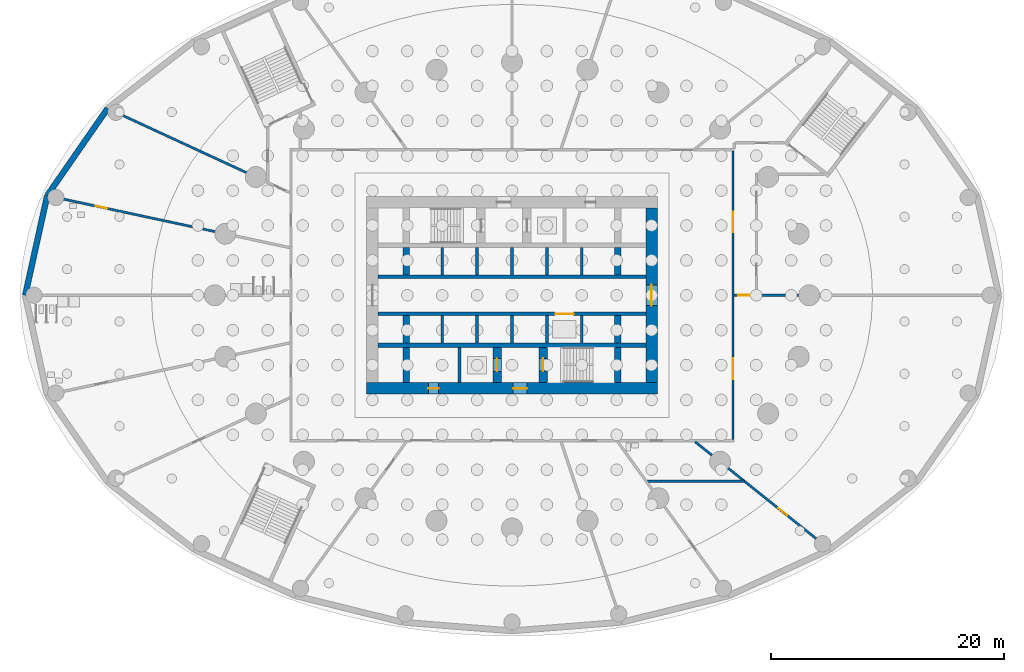
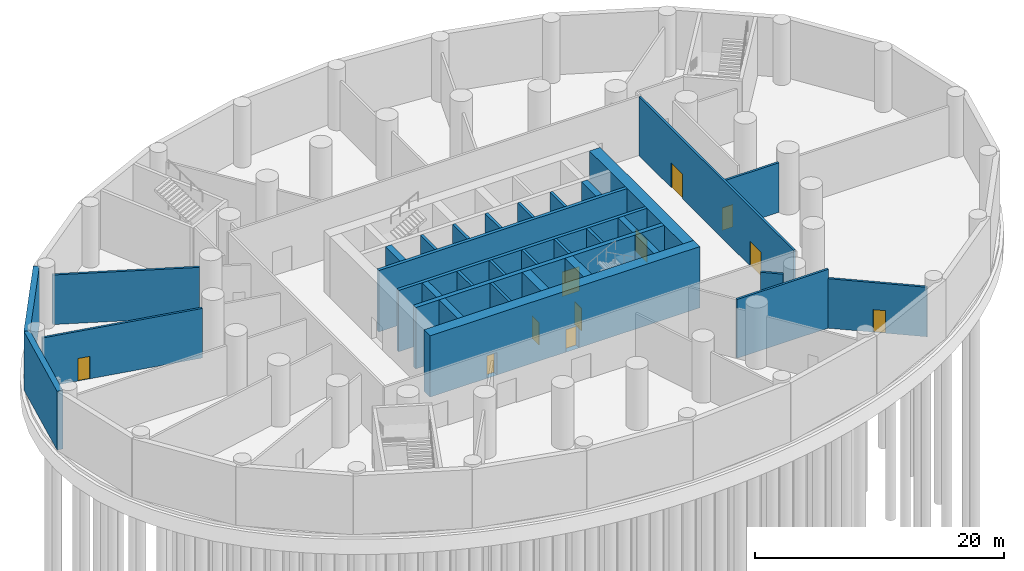
# One storey, part 5 of 12: 33 walls, 11 doors, 11 openings.
"""IFC4 building model written with IfcOpenShell, lengths in metres."""

from ifc_helpers import new_model, si_unit, direction, frame, frame_2d, origin, place, context, subcontext, project, spatial, rectangle, extrude, material, layer, layer_set, type_object, element, fill, save


model = new_model("IFC4")

# Units and contexts
model_context = context("Model", 3, precision=1e-05, world=origin(), true_north=direction((0.0, 1.0)))
body_context = subcontext(model_context, "Body", "Model", "MODEL_VIEW")
ifc_project = project(units=[si_unit("LENGTHUNIT", "METRE"), si_unit("AREAUNIT", "SQUARE_METRE"), si_unit("VOLUMEUNIT", "CUBIC_METRE"), si_unit("PLANEANGLEUNIT", "RADIAN"), si_unit("MASSUNIT", "GRAM", prefix="KILO")], contexts=[model_context])

# Site, building, storey
site_placement = place(None, origin())
site = spatial("IfcSite", under=ifc_project, at=site_placement, CompositionType="ELEMENT")
building_placement = place(site_placement, origin())
building = spatial("IfcBuilding", under=site, at=building_placement, Name="Hankou Lantern Tower", CompositionType="ELEMENT")
storey_placement = place(building_placement, frame((0.0, 0.0, -6.0)))
storey = spatial("IfcBuildingStorey", under=building, at=storey_placement, Name="B1", CompositionType="ELEMENT", Elevation=-6.0)

# Wall, openings, doors
ifc_material_1 = material(Name="Concrete C60", Category="concrete")
ifc_layer_1 = layer(ifc_material_1, 1.0)
ifc_layer_set_1 = layer_set([ifc_layer_1], Name="Concrete C60")
wall_type_1 = type_object("IfcWallType", Name="CW1 CORE WALL 1000", PredefinedType="SHEAR", material=ifc_layer_set_1)
wall_1_placement = place(storey_placement, frame((12.5, -8.0, 0.0), z_axis=(0.0, 0.0, 1.0), x_axis=(-1.0, 0.0, 0.0)))
wall_1 = element("IfcWall", 1, at=wall_1_placement, inside=storey, type_object=wall_type_1, Name="Core wall south B1", PredefinedType="SHEAR", context=body_context, shape_type="SweptSolid", body=[
    extrude(rectangle(XDim=25.0, YDim=1.0, at=frame_2d((12.5, 0.0))), origin(), (0.0, 0.0, 1.0), 6.0),
])
opening_1_placement = place(wall_1_placement, frame((11.199951171875, 0.0, 0.0)))
opening_1 = element("IfcOpeningElement", 2, at=opening_1_placement, cuts=wall_1, Name="Opening D5", PredefinedType="OPENING", context=body_context, shape_type="SweptSolid", body=[
    extrude(rectangle(XDim=1.199951171875, YDim=2.199951171875, at=frame_2d((0.60009765625, 1.10009765625))), frame((0.0, 0.510009765625, 0.0), z_axis=(0.0, -1.0, 0.0), x_axis=(1.0, 0.0, 0.0)), (0.0, 0.0, 1.0), 1.02001953125),
])
opening_2_placement = place(wall_1_placement, frame((18.800048828125, 0.0, 0.0)))
opening_2 = element("IfcOpeningElement", 3, at=opening_2_placement, cuts=wall_1, Name="Opening D7", PredefinedType="OPENING", context=body_context, shape_type="SweptSolid", body=[
    extrude(rectangle(XDim=0.89990234375, YDim=2.199951171875, at=frame_2d((0.449951171875, 1.10009765625))), frame((0.0, 0.510009765625, 0.0), z_axis=(0.0, -1.0, 0.0), x_axis=(1.0, 0.0, 0.0)), (0.0, 0.0, 1.0), 1.02001953125),
])
ifc_material_2 = material(Name="Steel door leaf", Category="steel")
door_type_1 = type_object("IfcDoorType", Name="D5 STAIR LOBBY DOOR 1200X2200", OperationType="SINGLE_SWING_LEFT", PredefinedType="DOOR", material=ifc_material_2)
door_1_placement = place(opening_1_placement, origin())
door_1 = element("IfcDoor", 4, at=door_1_placement, inside=storey, type_object=door_type_1, Name="Stair B lobby door", OperationType="SINGLE_SWING_LEFT", OverallHeight=2.199951171875, OverallWidth=1.199951171875, PredefinedType="DOOR", context=body_context, shape_type="SweptSolid", body=[
    extrude(rectangle(XDim=1.199951171875, YDim=2.199951171875, at=frame_2d((0.60009765625, 1.10009765625))), frame((0.0, 0.02490234375, 0.0), z_axis=(0.0, -1.0, 0.0), x_axis=(1.0, 0.0, 0.0)), (0.0, 0.0, 1.0), 0.050048828125),
])
fill(opening_1, door_1)
ifc_material_3 = material(Name="Steel door leaf", Category="steel")
door_type_2 = type_object("IfcDoorType", Name="D7 RISER DOOR 900X2200", OperationType="SINGLE_SWING_LEFT", PredefinedType="DOOR", material=ifc_material_3)
door_2_placement = place(opening_2_placement, origin())
door_2 = element("IfcDoor", 5, at=door_2_placement, inside=storey, type_object=door_type_2, Name="Riser S1 door", OperationType="SINGLE_SWING_RIGHT", OverallHeight=2.199951171875, OverallWidth=0.89990234375, PredefinedType="DOOR", context=body_context, shape_type="SweptSolid", body=[
    extrude(rectangle(XDim=0.89990234375, YDim=2.199951171875, at=frame_2d((0.449951171875, 1.10009765625))), frame((0.0, 0.02490234375, 0.0), z_axis=(0.0, -1.0, 0.0), x_axis=(1.0, 0.0, 0.0)), (0.0, 0.0, 1.0), 0.050048828125),
])
fill(opening_2, door_2)

# Wall, opening, door
wall_2_placement = place(storey_placement, frame((12.0, -7.5, 0.0), z_axis=(0.0, 0.0, 1.0), x_axis=(0.0, 1.0, 0.0)))
wall_2 = element("IfcWall", 6, at=wall_2_placement, inside=storey, type_object=wall_type_1, Name="Core wall east B1", PredefinedType="SHEAR", context=body_context, shape_type="SweptSolid", body=[
    extrude(rectangle(XDim=15.0, YDim=1.0, at=frame_2d((7.5, 0.0))), origin(), (0.0, 0.0, 1.0), 6.0),
])
opening_3_placement = place(wall_2_placement, frame((6.60009765625, 0.0, 0.0)))
opening_3 = element("IfcOpeningElement", 7, at=opening_3_placement, cuts=wall_2, Name="Opening D6", PredefinedType="OPENING", context=body_context, shape_type="SweptSolid", body=[
    extrude(rectangle(XDim=1.800048828125, YDim=2.199951171875, at=frame_2d((0.89990234375, 1.10009765625))), frame((0.0, 0.510009765625, 0.0), z_axis=(0.0, -1.0, 0.0), x_axis=(1.0, 0.0, 0.0)), (0.0, 0.0, 1.0), 1.02001953125),
])
ifc_material_4 = material(Name="Steel door leaf", Category="steel")
door_type_3 = type_object("IfcDoorType", Name="D6 LIFT LOBBY DOOR 1800X2200", OperationType="DOUBLE_DOOR_DOUBLE_SWING", PredefinedType="DOOR", material=ifc_material_4)
door_3_placement = place(opening_3_placement, origin())
door_3 = element("IfcDoor", 8, at=door_3_placement, inside=storey, type_object=door_type_3, Name="Lift lobby east door", OperationType="DOUBLE_DOOR_DOUBLE_SWING", OverallHeight=2.199951171875, OverallWidth=1.800048828125, PredefinedType="DOOR", context=body_context, shape_type="SweptSolid", body=[
    extrude(rectangle(XDim=1.800048828125, YDim=2.199951171875, at=frame_2d((0.89990234375, 1.10009765625))), frame((0.0, 0.02490234375, 0.0), z_axis=(0.0, -1.0, 0.0), x_axis=(1.0, 0.0, 0.0)), (0.0, 0.0, 1.0), 0.050048828125),
])
fill(opening_3, door_3)

# Walls
ifc_material_5 = material(Name="Concrete C60", Category="concrete")
ifc_layer_2 = layer(ifc_material_5, 0.39990234375)
ifc_layer_set_2 = layer_set([ifc_layer_2], Name="Concrete C60")
wall_type_2 = type_object("IfcWallType", Name="CW4 CORE CROSS WALL 400", PredefinedType="SHEAR", material=ifc_layer_set_2)
wall_3_placement = place(storey_placement, frame((-11.5, -4.300048828125, 0.0), z_axis=(0.0, 0.0, 1.0), x_axis=(1.0, 0.0, 0.0)))
element("IfcWall", 9, at=wall_3_placement, inside=storey, type_object=wall_type_2, Name="Core band wall south B1", PredefinedType="SHEAR", context=body_context, shape_type="SweptSolid", body=[
    extrude(rectangle(XDim=23.0, YDim=0.39990234375, at=frame_2d((11.5, 0.0))), origin(), (0.0, 0.0, 1.0), 6.0),
])
ifc_material_6 = material(Name="Concrete C60", Category="concrete")
ifc_layer_3 = layer(ifc_material_6, 0.300048828125)
ifc_layer_set_3 = layer_set([ifc_layer_3], Name="Concrete C60")
wall_type_3 = type_object("IfcWallType", Name="CW5 LIFT LOBBY WALL 300", PredefinedType="SHEAR", material=ifc_layer_set_3)
wall_4_placement = place(storey_placement, frame((-11.5, 1.60009765625, 0.0), z_axis=(0.0, 0.0, 1.0), x_axis=(1.0, 0.0, 0.0)))
element("IfcWall", 10, at=wall_4_placement, inside=storey, type_object=wall_type_3, Name="Lift lobby wall north B1", PredefinedType="SHEAR", context=body_context, shape_type="SweptSolid", body=[
    extrude(rectangle(XDim=23.0, YDim=0.300048828125, at=frame_2d((11.5, 0.0))), origin(), (0.0, 0.0, 1.0), 6.0),
])

# Wall, opening, door
wall_5_placement = place(storey_placement, frame((-11.5, -1.60009765625, 0.0), z_axis=(0.0, 0.0, 1.0), x_axis=(1.0, 0.0, 0.0)))
wall_5 = element("IfcWall", 11, at=wall_5_placement, inside=storey, type_object=wall_type_3, Name="Lift lobby wall south B1", PredefinedType="SHEAR", context=body_context, shape_type="SweptSolid", body=[
    extrude(rectangle(XDim=23.0, YDim=0.300048828125, at=frame_2d((11.5, 0.0))), origin(), (0.0, 0.0, 1.0), 6.0),
])
opening_4_placement = place(wall_5_placement, frame((15.199951171875, 0.0, 0.0)))
opening_4 = element("IfcOpeningElement", 12, at=opening_4_placement, cuts=wall_5, Name="Opening LD4", PredefinedType="OPENING", context=body_context, shape_type="SweptSolid", body=[
    extrude(rectangle(XDim=1.60009765625, YDim=2.39990234375, at=frame_2d((0.800048828125, 1.199951171875))), frame((0.0, 0.159912109375, 0.0), z_axis=(0.0, -1.0, 0.0), x_axis=(1.0, 0.0, 0.0)), (0.0, 0.0, 1.0), 0.320068359375),
])
ifc_material_7 = material(Name="Steel door leaf", Category="steel")
door_type_4 = type_object("IfcDoorType", Name="LD4 SERVICE LIFT LANDING DOOR 1600X2400", OperationType="DOUBLE_DOOR_SLIDING", PredefinedType="DOOR", material=ifc_material_7)
door_4_placement = place(opening_4_placement, origin())
door_4 = element("IfcDoor", 13, at=door_4_placement, inside=storey, type_object=door_type_4, Name="Lift SV1 landing door", OperationType="DOUBLE_DOOR_SLIDING", OverallHeight=2.39990234375, OverallWidth=1.60009765625, PredefinedType="DOOR", context=body_context, shape_type="SweptSolid", body=[
    extrude(rectangle(XDim=1.60009765625, YDim=2.39990234375, at=frame_2d((0.800048828125, 1.199951171875))), frame((0.0, 0.02490234375, 0.0), z_axis=(0.0, -1.0, 0.0), x_axis=(1.0, 0.0, 0.0)), (0.0, 0.0, 1.0), 0.050048828125),
])
fill(opening_4, door_4)

# Walls
ifc_material_8 = material(Name="Concrete C60", Category="concrete")
ifc_layer_4 = layer(ifc_material_8, 0.550048828125)
ifc_layer_set_4 = layer_set([ifc_layer_4], Name="Concrete C60")
wall_type_4 = type_object("IfcWallType", Name="CW8 CORE CROSS WALL 550", PredefinedType="SHEAR", material=ifc_layer_set_4)
for number, where, z_axis, x_axis, name in (
    (14, (-9.074951171875, 1.75, 0.0), (0.0, 0.0, 1.0), (0.0, 1.0, 0.0), "Core strip wall B1"),
    (15, (-9.074951171875, -4.10009765625, 0.0), (0.0, 0.0, 1.0), (0.0, 1.0, 0.0), "Core strip wall B1"),
):
    element("IfcWall", number, at=place(storey_placement, frame(where, z_axis=z_axis, x_axis=x_axis)), inside=storey, type_object=wall_type_4, Name=name, PredefinedType="SHEAR", context=body_context, shape_type="SweptSolid", body=[
        extrude(rectangle(XDim=2.35009765625, YDim=0.550048828125, at=frame_2d((1.175048828125, 0.0))), origin(), (0.0, 0.0, 1.0), 6.0),
    ])
wall_6_placement = place(storey_placement, frame((-9.074951171875, -7.5, 0.0), z_axis=(0.0, 0.0, 1.0), x_axis=(0.0, 1.0, 0.0)))
element("IfcWall", 16, at=wall_6_placement, inside=storey, type_object=wall_type_4, Name="Core strip wall B1", PredefinedType="SHEAR", context=body_context, shape_type="SweptSolid", body=[
    extrude(rectangle(XDim=3.0, YDim=0.550048828125, at=frame_2d((1.5, 0.0))), origin(), (0.0, 0.0, 1.0), 6.0),
])
for number, where, z_axis, x_axis, name in (
    (17, (9.074951171875, 1.75, 0.0), (0.0, 0.0, 1.0), (0.0, 1.0, 0.0), "Core strip wall B1"),
    (18, (9.074951171875, -4.10009765625, 0.0), (0.0, 0.0, 1.0), (0.0, 1.0, 0.0), "Core strip wall B1"),
):
    element("IfcWall", number, at=place(storey_placement, frame(where, z_axis=z_axis, x_axis=x_axis)), inside=storey, type_object=wall_type_4, Name=name, PredefinedType="SHEAR", context=body_context, shape_type="SweptSolid", body=[
        extrude(rectangle(XDim=2.35009765625, YDim=0.550048828125, at=frame_2d((1.175048828125, 0.0))), origin(), (0.0, 0.0, 1.0), 6.0),
    ])
wall_7_placement = place(storey_placement, frame((9.074951171875, -7.5, 0.0), z_axis=(0.0, 0.0, 1.0), x_axis=(0.0, 1.0, 0.0)))
element("IfcWall", 19, at=wall_7_placement, inside=storey, type_object=wall_type_4, Name="Core strip wall B1", PredefinedType="SHEAR", context=body_context, shape_type="SweptSolid", body=[
    extrude(rectangle(XDim=3.0, YDim=0.550048828125, at=frame_2d((1.5, 0.0))), origin(), (0.0, 0.0, 1.0), 6.0),
])

# Wall, opening, door
ifc_material_9 = material(Name="Concrete C60", Category="concrete")
ifc_layer_5 = layer(ifc_material_9, 0.75)
ifc_layer_set_5 = layer_set([ifc_layer_5], Name="Concrete C60")
wall_type_5 = type_object("IfcWallType", Name="CW9 STAIR AND SHAFT WALL 750", PredefinedType="SHEAR", material=ifc_layer_set_5)
wall_8_placement = place(storey_placement, frame((2.675048828125, -7.5, 0.0), z_axis=(0.0, 0.0, 1.0), x_axis=(0.0, 1.0, 0.0)))
wall_8 = element("IfcWall", 20, at=wall_8_placement, inside=storey, type_object=wall_type_5, Name="Stair wall B1", PredefinedType="SHEAR", context=body_context, shape_type="SweptSolid", body=[
    extrude(rectangle(XDim=3.0, YDim=0.75, at=frame_2d((1.5, 0.0))), origin(), (0.0, 0.0, 1.0), 6.0),
])
opening_5_placement = place(wall_8_placement, frame((0.97509765625, 0.0, 0.0)))
opening_5 = element("IfcOpeningElement", 21, at=opening_5_placement, cuts=wall_8, Name="Opening D4", PredefinedType="OPENING", context=body_context, shape_type="SweptSolid", body=[
    extrude(rectangle(XDim=1.10009765625, YDim=2.199951171875, at=frame_2d((0.550048828125, 1.10009765625))), frame((0.0, 0.385009765625, 0.0), z_axis=(0.0, -1.0, 0.0), x_axis=(1.0, 0.0, 0.0)), (0.0, 0.0, 1.0), 0.77001953125),
])
ifc_material_10 = material(Name="Steel door leaf", Category="steel")
door_type_5 = type_object("IfcDoorType", Name="D4 STAIR DOOR 1100X2200", OperationType="SINGLE_SWING_LEFT", PredefinedType="DOOR", material=ifc_material_10)
door_5_placement = place(opening_5_placement, origin())
door_5 = element("IfcDoor", 22, at=door_5_placement, inside=storey, type_object=door_type_5, Name="Stair B door", OperationType="SINGLE_SWING_RIGHT", OverallHeight=2.199951171875, OverallWidth=1.10009765625, PredefinedType="DOOR", context=body_context, shape_type="SweptSolid", body=[
    extrude(rectangle(XDim=1.10009765625, YDim=2.199951171875, at=frame_2d((0.550048828125, 1.10009765625))), frame((0.0, 0.02490234375, 0.0), z_axis=(0.0, -1.0, 0.0), x_axis=(1.0, 0.0, 0.0)), (0.0, 0.0, 1.0), 0.050048828125),
])
fill(opening_5, door_5)

wall_9_placement = place(storey_placement, frame((-1.27490234375, -7.5, 0.0), z_axis=(0.0, 0.0, 1.0), x_axis=(0.0, 1.0, 0.0)))
wall_9 = element("IfcWall", 23, at=wall_9_placement, inside=storey, type_object=wall_type_5, Name="Firefighting lift shaft wall B1", PredefinedType="SHEAR", context=body_context, shape_type="SweptSolid", body=[
    extrude(rectangle(XDim=3.0, YDim=0.75, at=frame_2d((1.5, 0.0))), origin(), (0.0, 0.0, 1.0), 6.0),
])
opening_6_placement = place(wall_9_placement, frame((0.949951171875, 0.0, 0.0)))
opening_6 = element("IfcOpeningElement", 24, at=opening_6_placement, cuts=wall_9, Name="Opening LD2", PredefinedType="OPENING", context=body_context, shape_type="SweptSolid", body=[
    extrude(rectangle(XDim=1.10009765625, YDim=2.199951171875, at=frame_2d((0.550048828125, 1.10009765625))), frame((0.0, 0.385009765625, 0.0), z_axis=(0.0, -1.0, 0.0), x_axis=(1.0, 0.0, 0.0)), (0.0, 0.0, 1.0), 0.77001953125),
])
ifc_material_11 = material(Name="Steel door leaf", Category="steel")
door_type_6 = type_object("IfcDoorType", Name="LD2 FIREFIGHTING LIFT LANDING DOOR 1100X2200", OperationType="DOUBLE_DOOR_SLIDING", PredefinedType="DOOR", material=ifc_material_11)
door_6_placement = place(opening_6_placement, origin())
door_6 = element("IfcDoor", 25, at=door_6_placement, inside=storey, type_object=door_type_6, Name="Firefighting lift FL2 landing door", OperationType="DOUBLE_DOOR_SLIDING", OverallHeight=2.199951171875, OverallWidth=1.10009765625, PredefinedType="DOOR", context=body_context, shape_type="SweptSolid", body=[
    extrude(rectangle(XDim=1.10009765625, YDim=2.199951171875, at=frame_2d((0.550048828125, 1.10009765625))), frame((0.0, 0.02490234375, 0.0), z_axis=(0.0, -1.0, 0.0), x_axis=(1.0, 0.0, 0.0)), (0.0, 0.0, 1.0), 0.050048828125),
])
fill(opening_6, door_6)

# Wall, openings, doors
ifc_material_12 = material(Name="Masonry dense concrete block", Category="masonry")
ifc_layer_6 = layer(ifc_material_12, 0.199951171875)
ifc_layer_set_6 = layer_set([ifc_layer_6], Name="Masonry dense concrete block")
wall_type_6 = type_object("IfcWallType", Name="FW1 COMPARTMENT FIRE WALL 200", PredefinedType="PARTITIONING", material=ifc_layer_set_6)
wall_10_placement = place(storey_placement, frame((19.0, -12.39990234375, 0.0), z_axis=(0.0, 0.0, 1.0), x_axis=(0.0, 1.0, 0.0)))
wall_10 = element("IfcWall", 26, at=wall_10_placement, inside=storey, type_object=wall_type_6, Name="Foyer fire wall east", PredefinedType="PARTITIONING", context=body_context, shape_type="SweptSolid", body=[
    extrude(rectangle(XDim=24.7998046875, YDim=0.199951171875, at=frame_2d((12.39990234375, 0.0))), origin(), (0.0, 0.0, 1.0), 5.75),
])
opening_7_placement = place(wall_10_placement, frame((17.800048828125, 0.0, 0.0)))
opening_7 = element("IfcOpeningElement", 27, at=opening_7_placement, cuts=wall_10, Name="Opening D9", PredefinedType="OPENING", context=body_context, shape_type="SweptSolid", body=[
    extrude(rectangle(XDim=1.800048828125, YDim=2.39990234375, at=frame_2d((0.89990234375, 1.199951171875))), frame((0.0, 0.10986328125, 0.0), z_axis=(0.0, -1.0, 0.0), x_axis=(1.0, 0.0, 0.0)), (0.0, 0.0, 1.0), 0.219970703125),
])
opening_8_placement = place(wall_10_placement, frame((5.199951171875, 0.0, 0.0)))
opening_8 = element("IfcOpeningElement", 28, at=opening_8_placement, cuts=wall_10, Name="Opening D36", PredefinedType="OPENING", context=body_context, shape_type="SweptSolid", body=[
    extrude(rectangle(XDim=1.800048828125, YDim=2.39990234375, at=frame_2d((0.89990234375, 1.199951171875))), frame((0.0, 0.10986328125, 0.0), z_axis=(0.0, -1.0, 0.0), x_axis=(1.0, 0.0, 0.0)), (0.0, 0.0, 1.0), 0.219970703125),
])
ifc_material_13 = material(Name="Steel door leaf", Category="steel")
door_type_7 = type_object("IfcDoorType", Name="D36 CLASS A DOUBLE DOOR 1800X2400", OperationType="DOUBLE_DOOR_DOUBLE_SWING", PredefinedType="DOOR", material=ifc_material_13)
door_7_placement = place(opening_8_placement, origin())
door_7 = element("IfcDoor", 29, at=door_7_placement, inside=storey, type_object=door_type_7, Name="Receiving and goods store door", OperationType="DOUBLE_DOOR_DOUBLE_SWING", OverallHeight=2.39990234375, OverallWidth=1.800048828125, PredefinedType="DOOR", context=body_context, shape_type="SweptSolid", body=[
    extrude(rectangle(XDim=1.800048828125, YDim=2.39990234375, at=frame_2d((0.89990234375, 1.199951171875))), frame((0.0, 0.02490234375, 0.0), z_axis=(0.0, -1.0, 0.0), x_axis=(1.0, 0.0, 0.0)), (0.0, 0.0, 1.0), 0.050048828125),
])
fill(opening_8, door_7)
ifc_material_14 = material(Name="Steel door leaf", Category="steel")
door_type_8 = type_object("IfcDoorType", Name="D9 PLANT ROOM DOOR 1800X2400", OperationType="DOUBLE_DOOR_DOUBLE_SWING", PredefinedType="DOOR", material=ifc_material_14)
door_8_placement = place(opening_7_placement, origin())
door_8 = element("IfcDoor", 30, at=door_8_placement, inside=storey, type_object=door_type_8, Name="Chiller plant room door", OperationType="DOUBLE_DOOR_DOUBLE_SWING", OverallHeight=2.39990234375, OverallWidth=1.800048828125, PredefinedType="DOOR", context=body_context, shape_type="SweptSolid", body=[
    extrude(rectangle(XDim=1.800048828125, YDim=2.39990234375, at=frame_2d((0.89990234375, 1.199951171875))), frame((0.0, 0.02490234375, 0.0), z_axis=(0.0, -1.0, 0.0), x_axis=(1.0, 0.0, 0.0)), (0.0, 0.0, 1.0), 0.050048828125),
])
fill(opening_7, door_8)

# Wall, opening, door
wall_11_placement = place(storey_placement, frame((-25.527099609375, 5.471923828125, 0.0), z_axis=(0.0, 0.0, 1.0), x_axis=(-0.97778865169, 0.209593302913, 0.0)))
wall_11 = element("IfcWall", 31, at=wall_11_placement, inside=storey, type_object=wall_type_6, Name="Fire wall R12", PredefinedType="PARTITIONING", context=body_context, shape_type="SweptSolid", body=[
    extrude(rectangle(XDim=13.50146484375, YDim=0.199951171875, at=frame_2d((6.750732421875, 0.0))), origin(), (0.0, 0.0, 1.0), 4.85009765625),
])
opening_9_placement = place(wall_11_placement, frame((9.5, 0.0, 0.0)))
opening_9 = element("IfcOpeningElement", 32, at=opening_9_placement, cuts=wall_11, Name="Opening D40", PredefinedType="OPENING", context=body_context, shape_type="SweptSolid", body=[
    extrude(rectangle(XDim=1.0, YDim=2.199951171875, at=frame_2d((0.5, 1.10009765625))), frame((0.0, 0.10986328125, 0.0), z_axis=(0.0, -1.0, 0.0), x_axis=(1.0, 0.0, 0.0)), (0.0, 0.0, 1.0), 0.219970703125),
])
ifc_material_15 = material(Name="Steel door leaf", Category="steel")
door_type_9 = type_object("IfcDoorType", Name="D40 CLASS A ROOM DOOR 1000X2200", OperationType="SINGLE_SWING_LEFT", PredefinedType="DOOR", material=ifc_material_15)
door_9_placement = place(opening_9_placement, origin())
door_9 = element("IfcDoor", 33, at=door_9_placement, inside=storey, type_object=door_type_9, Name="Male staff WC and showers door to locker room", OperationType="SINGLE_SWING_RIGHT", OverallHeight=2.199951171875, OverallWidth=1.0, PredefinedType="DOOR", context=body_context, shape_type="SweptSolid", body=[
    extrude(rectangle(XDim=1.0, YDim=2.199951171875, at=frame_2d((0.5, 1.10009765625))), frame((0.0, 0.02490234375, 0.0), z_axis=(0.0, -1.0, 0.0), x_axis=(1.0, 0.0, 0.0)), (0.0, 0.0, 1.0), 0.050048828125),
])
fill(opening_9, door_9)

ifc_material_16 = material(Name="Masonry dense concrete block", Category="masonry")
ifc_layer_7 = layer(ifc_material_16, 0.199951171875)
ifc_layer_set_7 = layer_set([ifc_layer_7], Name="Masonry dense concrete block")
wall_type_7 = type_object("IfcWallType", Name="IW9 2 H FIRE PARTITION 200", PredefinedType="PARTITIONING", material=ifc_layer_set_7)
wall_12_placement = place(storey_placement, frame((19.10009765625, 0.0, 0.0), z_axis=(0.0, 0.0, 1.0), x_axis=(1.0, 0.0, 0.0)))
wall_12 = element("IfcWall", 34, at=wall_12_placement, inside=storey, type_object=wall_type_7, Name="Partition R01", PredefinedType="PARTITIONING", context=body_context, shape_type="SweptSolid", body=[
    extrude(rectangle(XDim=5.5498046875, YDim=0.199951171875, at=frame_2d((2.77490234375, 0.0))), origin(), (0.0, 0.0, 1.0), 4.85009765625),
])
opening_10_placement = place(wall_12_placement, frame((0.35009765625, 0.0, 0.0)))
opening_10 = element("IfcOpeningElement", 35, at=opening_10_placement, cuts=wall_12, Name="Opening D28", PredefinedType="OPENING", context=body_context, shape_type="SweptSolid", body=[
    extrude(rectangle(XDim=1.0, YDim=2.199951171875, at=frame_2d((0.5, 1.10009765625))), frame((0.0, 0.10986328125, 0.0), z_axis=(0.0, -1.0, 0.0), x_axis=(1.0, 0.0, 0.0)), (0.0, 0.0, 1.0), 0.219970703125),
])
ifc_material_17 = material(Name="Steel door leaf", Category="steel")
door_type_10 = type_object("IfcDoorType", Name="D28 SERVICE DOOR 1000X2200", OperationType="SINGLE_SWING_LEFT", PredefinedType="DOOR", material=ifc_material_17)
door_10_placement = place(opening_10_placement, origin())
door_10 = element("IfcDoor", 36, at=door_10_placement, inside=storey, type_object=door_type_10, Name="Receiving and goods store door to strip", OperationType="SINGLE_SWING_LEFT", OverallHeight=2.199951171875, OverallWidth=1.0, PredefinedType="DOOR", context=body_context, shape_type="SweptSolid", body=[
    extrude(rectangle(XDim=1.0, YDim=2.199951171875, at=frame_2d((0.5, 1.10009765625))), frame((0.0, 0.02490234375, 0.0), z_axis=(0.0, -1.0, 0.0), x_axis=(1.0, 0.0, 0.0)), (0.0, 0.0, 1.0), 0.050048828125),
])
fill(opening_10, door_10)

# Walls
wall_13_placement = place(storey_placement, frame((-22.836181640625, 10.547607421875, 0.0), z_axis=(0.0, 0.0, 1.0), x_axis=(-0.90784065247, 0.419315334471, 0.0)))
element("IfcWall", 37, at=wall_13_placement, inside=storey, type_object=wall_type_7, Name="Partition R11", PredefinedType="PARTITIONING", context=body_context, shape_type="SweptSolid", body=[
    extrude(rectangle(XDim=11.859619140625, YDim=0.199951171875, at=frame_2d((5.9296875, 0.0))), origin(), (0.0, 0.0, 1.0), 4.85009765625),
])
wall_14_placement = place(storey_placement, frame((15.75, -12.60009765625, 0.0), z_axis=(0.0, 0.0, 1.0), x_axis=(0.780881734892, -0.6246788904, 0.0)))
element("IfcWall", 38, at=wall_14_placement, inside=storey, type_object=wall_type_7, Name="Partition R22", PredefinedType="PARTITIONING", context=body_context, shape_type="SweptSolid", body=[
    extrude(rectangle(XDim=1.8427734375, YDim=0.199951171875, at=frame_2d((0.92138671875, 0.0))), origin(), (0.0, 0.0, 1.0), 4.89990234375),
])

# Wall, opening, door
wall_15_placement = place(storey_placement, frame((18.594482421875, -14.87548828125, 0.0), z_axis=(0.0, 0.0, 1.0), x_axis=(0.780868809443, -0.624695047554, 0.0)))
wall_15 = element("IfcWall", 39, at=wall_15_placement, inside=storey, type_object=wall_type_7, Name="Partition R22", PredefinedType="PARTITIONING", context=body_context, shape_type="SweptSolid", body=[
    extrude(rectangle(XDim=9.883056640625, YDim=0.199951171875, at=frame_2d((4.94140625, 0.0))), origin(), (0.0, 0.0, 1.0), 4.85009765625),
])
opening_11_placement = place(wall_15_placement, frame((5.5, 0.0, 0.0)))
opening_11 = element("IfcOpeningElement", 40, at=opening_11_placement, cuts=wall_15, Name="Opening D28", PredefinedType="OPENING", context=body_context, shape_type="SweptSolid", body=[
    extrude(rectangle(XDim=1.0, YDim=2.199951171875, at=frame_2d((0.5, 1.10009765625))), frame((0.0, 0.10986328125, 0.0), z_axis=(0.0, -1.0, 0.0), x_axis=(1.0, 0.0, 0.0)), (0.0, 0.0, 1.0), 0.219970703125),
])
door_11_placement = place(opening_11_placement, origin())
door_11 = element("IfcDoor", 41, at=door_11_placement, inside=storey, type_object=door_type_10, Name="Staff uniform store door to goods store", OperationType="SINGLE_SWING_RIGHT", OverallHeight=2.199951171875, OverallWidth=1.0, PredefinedType="DOOR", context=body_context, shape_type="SweptSolid", body=[
    extrude(rectangle(XDim=1.0, YDim=2.199951171875, at=frame_2d((0.5, 1.10009765625))), frame((0.0, 0.02490234375, 0.0), z_axis=(0.0, -1.0, 0.0), x_axis=(1.0, 0.0, 0.0)), (0.0, 0.0, 1.0), 0.050048828125),
])
fill(opening_11, door_11)

# Walls
wall_16_placement = place(storey_placement, frame((11.547119140625, -16.0, 0.0), z_axis=(0.0, 0.0, 1.0), x_axis=(1.0, 0.0, 0.0)))
element("IfcWall", 42, at=wall_16_placement, inside=storey, type_object=wall_type_7, Name="Partition behind the WCs", PredefinedType="PARTITIONING", context=body_context, shape_type="SweptSolid", body=[
    extrude(rectangle(XDim=8.452880859375, YDim=0.199951171875, at=frame_2d((4.2265625, 0.0))), origin(), (0.0, 0.0, 1.0), 5.75),
])
ifc_material_18 = material(Name="Concrete C40", Category="concrete")
ifc_layer_8 = layer(ifc_material_18, 0.5)
ifc_layer_set_8 = layer_set([ifc_layer_8], Name="Concrete C40")
wall_type_8 = type_object("IfcWallType", Name="RW1 BASEMENT RETAINING WALL 500", PredefinedType="SOLIDWALL", material=ifc_layer_set_8)
wall_17_placement = place(storey_placement, frame((-34.767578125, 16.05859375, 0.0), z_axis=(0.0, 0.0, 1.0), x_axis=(-0.569815549616, -0.821772620264, 0.0)))
element("IfcWall", 43, at=wall_17_placement, inside=storey, type_object=wall_type_8, Name="Basement retaining wall R11", PredefinedType="SOLIDWALL", context=body_context, shape_type="SweptSolid", body=[
    extrude(rectangle(XDim=9.1171875, YDim=0.5, at=frame_2d((4.55859375, 0.0))), origin(), (0.0, 0.0, 1.0), 5.75),
])
wall_18_placement = place(storey_placement, frame((-39.962646484375, 8.56640625, 0.0), z_axis=(0.0, 0.0, 1.0), x_axis=(-0.215170782675, -0.976576435454, 0.0)))
element("IfcWall", 44, at=wall_18_placement, inside=storey, type_object=wall_type_8, Name="Basement retaining wall R12", PredefinedType="SOLIDWALL", context=body_context, shape_type="SweptSolid", body=[
    extrude(rectangle(XDim=8.77197265625, YDim=0.5, at=frame_2d((4.385986328125, 0.0))), origin(), (0.0, 0.0, 1.0), 5.75),
])
ifc_material_19 = material(Name="Masonry autoclaved aerated concrete block", Category="masonry")
ifc_layer_9 = layer(ifc_material_19, 0.25)
ifc_layer_set_9 = layer_set([ifc_layer_9], Name="Masonry autoclaved aerated concrete block")
wall_type_9 = type_object("IfcWallType", Name="SW1 SHAFT BLOCK WALL 250", PredefinedType="PARTITIONING", material=ifc_layer_set_9)
wall_19_placement = place(storey_placement, frame((-4.5, -7.5, 0.0), z_axis=(0.0, 0.0, 1.0), x_axis=(0.0, 1.0, 0.0)))
element("IfcWall", 45, at=wall_19_placement, inside=storey, type_object=wall_type_9, Name="Riser wall B1", PredefinedType="PARTITIONING", context=body_context, shape_type="SweptSolid", body=[
    extrude(rectangle(XDim=3.0, YDim=0.25, at=frame_2d((1.5, 0.0))), origin(), (0.0, 0.0, 1.0), 6.0),
])
for number, where, z_axis, x_axis, name in (
    (46, (-6.0, 1.75, 0.0), (0.0, 0.0, 1.0), (0.0, 1.0, 0.0), "Lift shaft wall B1"),
    (47, (-3.0, 1.75, 0.0), (0.0, 0.0, 1.0), (0.0, 1.0, 0.0), "Lift shaft wall B1"),
    (48, (0.0, 1.75, 0.0), (0.0, 0.0, 1.0), (0.0, 1.0, 0.0), "Lift shaft wall B1"),
    (49, (3.0, 1.75, 0.0), (0.0, 0.0, 1.0), (0.0, 1.0, 0.0), "Lift shaft wall B1"),
    (50, (6.0, 1.75, 0.0), (0.0, 0.0, 1.0), (0.0, 1.0, 0.0), "Lift shaft wall B1"),
    (51, (-6.0, -4.10009765625, 0.0), (0.0, 0.0, 1.0), (0.0, 1.0, 0.0), "Lift shaft wall B1"),
    (52, (-3.0, -4.10009765625, 0.0), (0.0, 0.0, 1.0), (0.0, 1.0, 0.0), "Lift shaft wall B1"),
    (53, (0.0, -4.10009765625, 0.0), (0.0, 0.0, 1.0), (0.0, 1.0, 0.0), "Lift shaft wall B1"),
    (54, (3.0, -4.10009765625, 0.0), (0.0, 0.0, 1.0), (0.0, 1.0, 0.0), "Lift shaft wall B1"),
    (55, (6.0, -4.10009765625, 0.0), (0.0, 0.0, 1.0), (0.0, 1.0, 0.0), "Lift shaft wall B1"),
):
    element("IfcWall", number, at=place(storey_placement, frame(where, z_axis=z_axis, x_axis=x_axis)), inside=storey, type_object=wall_type_9, Name=name, PredefinedType="PARTITIONING", context=body_context, shape_type="SweptSolid", body=[
        extrude(rectangle(XDim=2.35009765625, YDim=0.25, at=frame_2d((1.175048828125, 0.0))), origin(), (0.0, 0.0, 1.0), 6.0),
    ])

save(model, "model.ifc")
